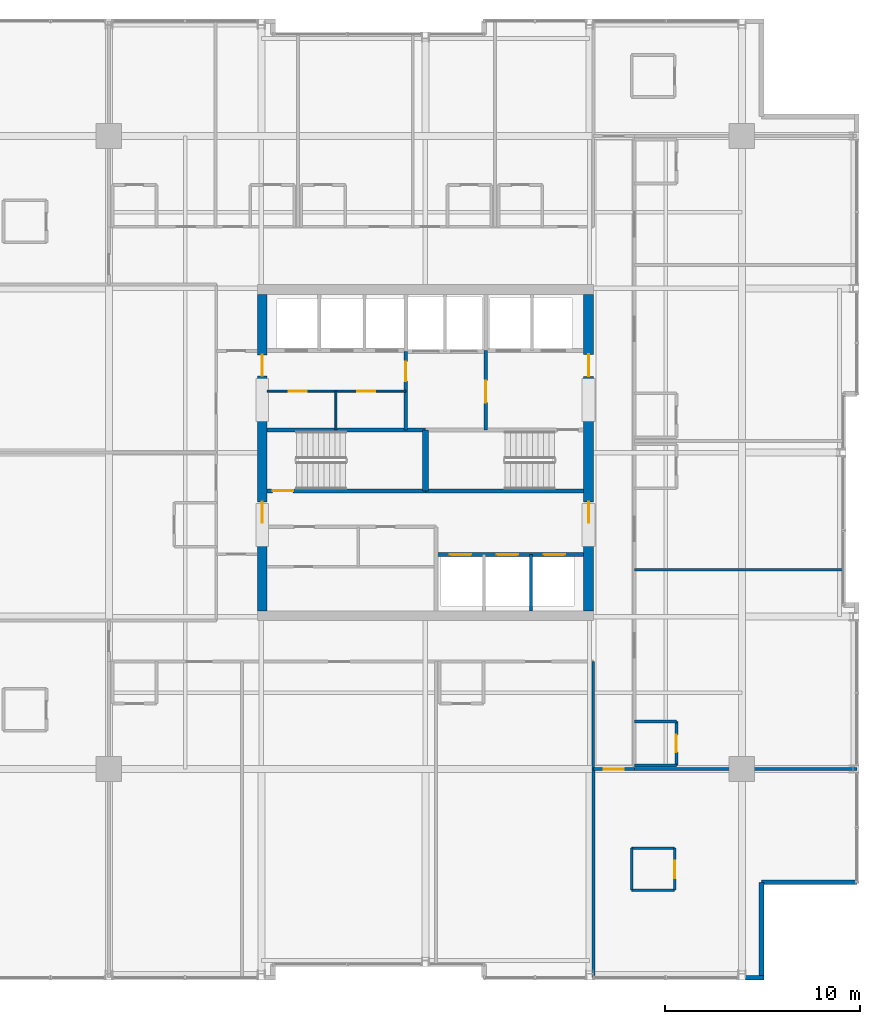
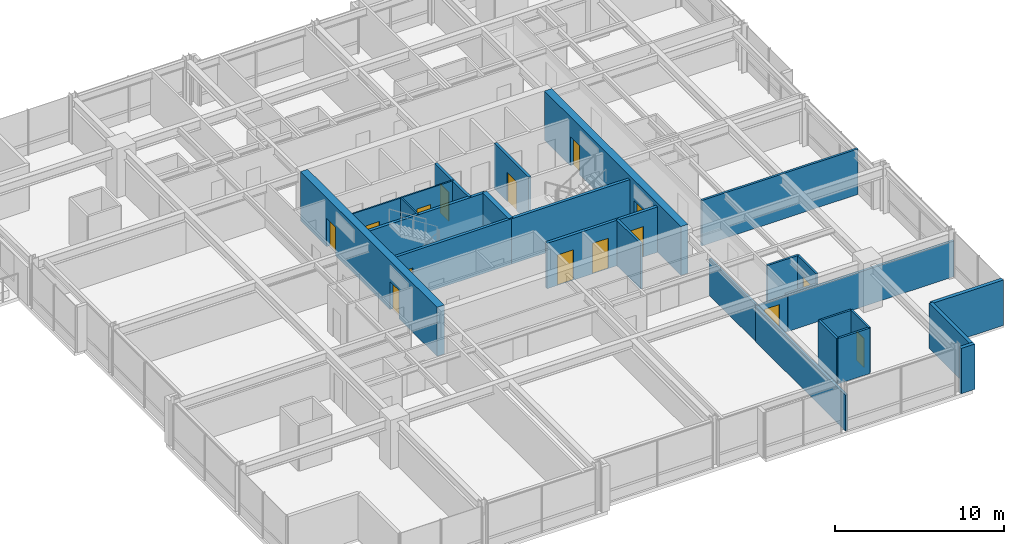
# One storey, part 26 of 31: 27 walls, 15 doors, 15 openings.
"""IFC4 building model written with IfcOpenShell, lengths in metres."""

from ifc_helpers import new_model, si_unit, direction, frame, frame_2d, origin, place, context, subcontext, project, spatial, rectangle, extrude, material, layer, layer_set, type_object, element, fill, save


model = new_model("IFC4")

# Units and contexts
model_context = context("Model", 3, precision=1e-05, world=origin(), true_north=direction((0.0, 1.0)))
body_context = subcontext(model_context, "Body", "Model", "MODEL_VIEW")
ifc_project = project(units=[si_unit("LENGTHUNIT", "METRE"), si_unit("AREAUNIT", "SQUARE_METRE"), si_unit("VOLUMEUNIT", "CUBIC_METRE"), si_unit("PLANEANGLEUNIT", "RADIAN"), si_unit("MASSUNIT", "GRAM", prefix="KILO")], contexts=[model_context])

# Site, building, storey
site_placement = place(None, origin())
site = spatial("IfcSite", under=ifc_project, at=site_placement, CompositionType="ELEMENT")
building_placement = place(site_placement, origin())
building = spatial("IfcBuilding", under=site, at=building_placement, Name="Drelvath Grand Hotel", CompositionType="ELEMENT")
storey_placement = place(building_placement, frame((0.0, 0.0, 185.89990234375)))
storey = spatial("IfcBuildingStorey", under=building, at=storey_placement, Name="L48", CompositionType="ELEMENT", Elevation=185.89990234375)

# Wall, openings, doors
ifc_material_1 = material(Name="Gypsum Partition Board")
ifc_layer_1 = layer(ifc_material_1, 0.10009765625)
ifc_layer_set_1 = layer_set([ifc_layer_1], Name="Gypsum Partition Board")
wall_type_1 = type_object("IfcWallType", Name="Core Closet Partition 100", PredefinedType="PARTITIONING", material=ifc_layer_set_1)
wall_1_placement = place(storey_placement, frame((-8.10009765625, 30.139892578125, 0.0), z_axis=(0.0, 0.0, 1.0), x_axis=(1.0, 0.0, 0.0)))
wall_1 = element("IfcWall", 1, at=wall_1_placement, inside=storey, type_object=wall_type_1, Name="L48 High-Rise Lobby Closet Wall", PredefinedType="PARTITIONING", context=body_context, shape_type="SweptSolid", body=[
    extrude(rectangle(XDim=7.10009765625, YDim=0.10009765625, at=frame_2d((3.550048828125, 0.0))), origin(), (0.0, 0.0, 1.0), 3.2900390625),
])
opening_1_placement = place(wall_1_placement, frame((1.10009765625, 0.0, 0.0)))
opening_1 = element("IfcOpeningElement", 2, at=opening_1_placement, cuts=wall_1, Name="Opening D-T3G4-014", PredefinedType="OPENING", context=body_context, shape_type="SweptSolid", body=[
    extrude(rectangle(XDim=0.919921875, YDim=2.10009765625, at=frame_2d((0.4599609375, 1.050048828125))), frame((0.0, 0.06005859375, 0.0), z_axis=(0.0, -1.0, 0.0), x_axis=(1.0, 0.0, 0.0)), (0.0, 0.0, 1.0), 0.1201171875),
])
opening_2_placement = place(wall_1_placement, frame((4.60009765625, 0.0, 0.0)))
opening_2 = element("IfcOpeningElement", 3, at=opening_2_placement, cuts=wall_1, Name="Opening D-T3G4-015", PredefinedType="OPENING", context=body_context, shape_type="SweptSolid", body=[
    extrude(rectangle(XDim=0.919921875, YDim=2.10009765625, at=frame_2d((0.4599609375, 1.050048828125))), frame((0.0, 0.06005859375, 0.0), z_axis=(0.0, -1.0, 0.0), x_axis=(1.0, 0.0, 0.0)), (0.0, 0.0, 1.0), 0.1201171875),
])
ifc_material_2 = material(Name="Painted Steel S275", Category="steel")
door_type_1 = type_object("IfcDoorType", Name="Staff Utility Door 920x2100", OperationType="NOTDEFINED", PredefinedType="DOOR", material=ifc_material_2)
door_1_placement = place(opening_1_placement, origin())
door_1 = element("IfcDoor", 4, at=door_1_placement, inside=storey, type_object=door_type_1, Name="L48 Electrical Closet Door", OperationType="SINGLE_SWING_LEFT", OverallHeight=2.10009765625, OverallWidth=0.919921875, PredefinedType="DOOR", context=body_context, shape_type="SweptSolid", body=[
    extrude(rectangle(XDim=0.919921875, YDim=2.10009765625, at=frame_2d((0.4599609375, 1.050048828125))), frame((0.0, 0.02490234375, 0.0), z_axis=(0.0, -1.0, 0.0), x_axis=(1.0, 0.0, 0.0)), (0.0, 0.0, 1.0), 0.050048828125),
])
fill(opening_1, door_1)
door_2_placement = place(opening_2_placement, origin())
door_2 = element("IfcDoor", 5, at=door_2_placement, inside=storey, type_object=door_type_1, Name="L48 Telecom Room Door", OperationType="SINGLE_SWING_RIGHT", OverallHeight=2.10009765625, OverallWidth=0.919921875, PredefinedType="DOOR", context=body_context, shape_type="SweptSolid", body=[
    extrude(rectangle(XDim=0.919921875, YDim=2.10009765625, at=frame_2d((0.4599609375, 1.050048828125))), frame((0.0, 0.02490234375, 0.0), z_axis=(0.0, -1.0, 0.0), x_axis=(1.0, 0.0, 0.0)), (0.0, 0.0, 1.0), 0.050048828125),
])
fill(opening_2, door_2)

# Wall
wall_2_placement = place(storey_placement, frame((-4.580078125, 28.159912109375, 0.0), z_axis=(0.0, 0.0, 1.0), x_axis=(0.0, 1.0, 0.0)))
element("IfcWall", 6, at=wall_2_placement, inside=storey, type_object=wall_type_1, Name="L48 Core Closet Split 1", PredefinedType="PARTITIONING", context=body_context, shape_type="SweptSolid", body=[
    extrude(rectangle(XDim=1.97998046875, YDim=0.10009765625, at=frame_2d((0.989990234375, 0.0))), origin(), (0.0, 0.0, 1.0), 3.2900390625),
])

# Wall, openings, doors
ifc_material_3 = material(Name="Concrete C40/50", Category="concrete")
ifc_layer_2 = layer(ifc_material_3, 0.199951171875)
ifc_layer_set_2 = layer_set([ifc_layer_2], Name="Concrete C40/50")
wall_type_2 = type_object("IfcWallType", Name="Core Hoistway Fire Wall 200", PredefinedType="SOLIDWALL", material=ifc_layer_set_2)
wall_3_placement = place(storey_placement, frame((8.10009765625, 21.780029296875, 0.0), z_axis=(0.0, 0.0, 1.0), x_axis=(-1.0, 0.0, 0.0)))
wall_3 = element("IfcWall", 7, at=wall_3_placement, inside=storey, type_object=wall_type_2, Name="L48 Bank 2 Hoistway Wall", PredefinedType="SOLIDWALL", context=body_context, shape_type="SweptSolid", body=[
    extrude(rectangle(XDim=7.550048828125, YDim=0.199951171875, at=frame_2d((3.77490234375, 0.0))), origin(), (0.0, 0.0, 1.0), 3.2900390625),
])
opening_3_placement = place(wall_3_placement, frame((5.75, 0.0, 0.0)))
opening_3 = element("IfcOpeningElement", 8, at=opening_3_placement, cuts=wall_3, Name="Opening LD-PE-4", PredefinedType="OPENING", context=body_context, shape_type="SweptSolid", body=[
    extrude(rectangle(XDim=1.10009765625, YDim=2.199951171875, at=frame_2d((0.550048828125, 1.10009765625))), frame((0.0, 0.10986328125, 0.0), z_axis=(0.0, -1.0, 0.0), x_axis=(1.0, 0.0, 0.0)), (0.0, 0.0, 1.0), 0.219970703125),
])
opening_4_placement = place(wall_3_placement, frame((3.35009765625, 0.0, 0.0)))
opening_4 = element("IfcOpeningElement", 9, at=opening_4_placement, cuts=wall_3, Name="Opening LD-PE-5", PredefinedType="OPENING", context=body_context, shape_type="SweptSolid", body=[
    extrude(rectangle(XDim=1.10009765625, YDim=2.199951171875, at=frame_2d((0.550048828125, 1.10009765625))), frame((0.0, 0.10986328125, 0.0), z_axis=(0.0, -1.0, 0.0), x_axis=(1.0, 0.0, 0.0)), (0.0, 0.0, 1.0), 0.219970703125),
])
opening_5_placement = place(wall_3_placement, frame((0.949951171875, 0.0, 0.0)))
opening_5 = element("IfcOpeningElement", 10, at=opening_5_placement, cuts=wall_3, Name="Opening LD-PE-6", PredefinedType="OPENING", context=body_context, shape_type="SweptSolid", body=[
    extrude(rectangle(XDim=1.10009765625, YDim=2.199951171875, at=frame_2d((0.550048828125, 1.10009765625))), frame((0.0, 0.10986328125, 0.0), z_axis=(0.0, -1.0, 0.0), x_axis=(1.0, 0.0, 0.0)), (0.0, 0.0, 1.0), 0.219970703125),
])
ifc_material_4 = material(Name="Stainless Steel S355", Category="steel")
door_type_2 = type_object("IfcDoorType", Name="Passenger Lift Sliding Landing Door 1100x2200", OperationType="NOTDEFINED", PredefinedType="DOOR", material=ifc_material_4)
door_3_placement = place(opening_3_placement, origin())
door_3 = element("IfcDoor", 11, at=door_3_placement, inside=storey, type_object=door_type_2, Name="L48 Lift PE-4 Landing Door", OperationType="SLIDING_TO_LEFT", OverallHeight=2.199951171875, OverallWidth=1.10009765625, PredefinedType="DOOR", context=body_context, shape_type="SweptSolid", body=[
    extrude(rectangle(XDim=1.10009765625, YDim=2.199951171875, at=frame_2d((0.550048828125, 1.10009765625))), frame((0.0, 0.02490234375, 0.0), z_axis=(0.0, -1.0, 0.0), x_axis=(1.0, 0.0, 0.0)), (0.0, 0.0, 1.0), 0.050048828125),
])
fill(opening_3, door_3)
door_4_placement = place(opening_4_placement, origin())
door_4 = element("IfcDoor", 12, at=door_4_placement, inside=storey, type_object=door_type_2, Name="L48 Lift PE-5 Landing Door", OperationType="SLIDING_TO_LEFT", OverallHeight=2.199951171875, OverallWidth=1.10009765625, PredefinedType="DOOR", context=body_context, shape_type="SweptSolid", body=[
    extrude(rectangle(XDim=1.10009765625, YDim=2.199951171875, at=frame_2d((0.550048828125, 1.10009765625))), frame((0.0, 0.02490234375, 0.0), z_axis=(0.0, -1.0, 0.0), x_axis=(1.0, 0.0, 0.0)), (0.0, 0.0, 1.0), 0.050048828125),
])
fill(opening_4, door_4)
door_5_placement = place(opening_5_placement, origin())
door_5 = element("IfcDoor", 13, at=door_5_placement, inside=storey, type_object=door_type_2, Name="L48 Lift PE-6 Landing Door", OperationType="SLIDING_TO_LEFT", OverallHeight=2.199951171875, OverallWidth=1.10009765625, PredefinedType="DOOR", context=body_context, shape_type="SweptSolid", body=[
    extrude(rectangle(XDim=1.10009765625, YDim=2.199951171875, at=frame_2d((0.550048828125, 1.10009765625))), frame((0.0, 0.02490234375, 0.0), z_axis=(0.0, -1.0, 0.0), x_axis=(1.0, 0.0, 0.0)), (0.0, 0.0, 1.0), 0.050048828125),
])
fill(opening_5, door_5)

# Wall, opening, door
ifc_layer_3 = layer(ifc_material_3, 0.199951171875)
ifc_layer_set_3 = layer_set([ifc_layer_3], Name="Concrete C40/50")
wall_type_3 = type_object("IfcWallType", Name="Core Shaft Fire Wall 200", PredefinedType="SOLIDWALL", material=ifc_layer_set_3)
wall_4_placement = place(storey_placement, frame((-8.10009765625, 25.0400390625, 0.0), z_axis=(0.0, 0.0, 1.0), x_axis=(1.0, 0.0, 0.0)))
wall_4 = element("IfcWall", 14, at=wall_4_placement, inside=storey, type_object=wall_type_3, Name="L48 Stair ST-1 South Wall", PredefinedType="SOLIDWALL", context=body_context, shape_type="SweptSolid", body=[
    extrude(rectangle(XDim=8.10009765625, YDim=0.199951171875, at=frame_2d((4.050048828125, 0.0))), origin(), (0.0, 0.0, 1.0), 3.2900390625),
])
opening_6_placement = place(wall_4_placement, frame((0.280029296875, 0.0, 0.0)))
opening_6 = element("IfcOpeningElement", 15, at=opening_6_placement, cuts=wall_4, Name="Opening D-T3G4-001", PredefinedType="OPENING", context=body_context, shape_type="SweptSolid", body=[
    extrude(rectangle(XDim=1.050048828125, YDim=2.10009765625, at=frame_2d((0.52490234375, 1.050048828125))), frame((0.0, 0.10986328125, 0.0), z_axis=(0.0, -1.0, 0.0), x_axis=(1.0, 0.0, 0.0)), (0.0, 0.0, 1.0), 0.219970703125),
])
door_type_3 = type_object("IfcDoorType", Name="Tower Stairwell Fire Door 1050x2100", OperationType="NOTDEFINED", PredefinedType="DOOR", material=ifc_material_2)
door_6_placement = place(opening_6_placement, origin())
door_6 = element("IfcDoor", 16, at=door_6_placement, inside=storey, type_object=door_type_3, Name="L48 Exit Stair ST-1 Door", OperationType="SINGLE_SWING_LEFT", OverallHeight=2.10009765625, OverallWidth=1.050048828125, PredefinedType="DOOR", context=body_context, shape_type="SweptSolid", body=[
    extrude(rectangle(XDim=1.050048828125, YDim=2.10009765625, at=frame_2d((0.52490234375, 1.050048828125))), frame((0.0, 0.02490234375, 0.0), z_axis=(0.0, -1.0, 0.0), x_axis=(1.0, 0.0, 0.0)), (0.0, 0.0, 1.0), 0.050048828125),
])
fill(opening_6, door_6)

# Walls
for number, where, z_axis, x_axis, name in (
    (17, (-8.10009765625, 28.159912109375, 0.0), (0.0, 0.0, 1.0), (1.0, 0.0, 0.0), "L48 Stair ST-1 North Wall"),
    (18, (0.0, 25.0400390625, 0.0), (0.0, 0.0, 1.0), (1.0, 0.0, 0.0), "L48 Stair ST-2 South Wall"),
):
    element("IfcWall", number, at=place(storey_placement, frame(where, z_axis=z_axis, x_axis=x_axis)), inside=storey, type_object=wall_type_3, Name=name, PredefinedType="SOLIDWALL", context=body_context, shape_type="SweptSolid", body=[
        extrude(rectangle(XDim=8.10009765625, YDim=0.199951171875, at=frame_2d((4.050048828125, 0.0))), origin(), (0.0, 0.0, 1.0), 3.2900390625),
    ])
ifc_layer_4 = layer(ifc_material_3, 0.300048828125)
ifc_layer_set_4 = layer_set([ifc_layer_4], Name="Concrete C40/50")
wall_type_4 = type_object("IfcWallType", Name="Core Shaft Fire Wall 300", PredefinedType="SOLIDWALL", material=ifc_layer_set_4)
wall_5_placement = place(storey_placement, frame((0.0, 25.0400390625, 0.0), z_axis=(0.0, 0.0, 1.0), x_axis=(0.0, 1.0, 0.0)))
element("IfcWall", 19, at=wall_5_placement, inside=storey, type_object=wall_type_4, Name="L48 Core Stair Divider Wall", PredefinedType="SOLIDWALL", context=body_context, shape_type="SweptSolid", body=[
    extrude(rectangle(XDim=3.119873046875, YDim=0.300048828125, at=frame_2d((1.56005859375, 0.0))), origin(), (0.0, 0.0, 1.0), 3.2900390625),
])
ifc_material_5 = material(Name="Gypsum Fireboard Partition")
ifc_layer_5 = layer(ifc_material_5, 0.1650390625)
ifc_layer_set_5 = layer_set([ifc_layer_5], Name="Gypsum Fireboard Partition")
wall_type_5 = type_object("IfcWallType", Name="Core Shaft Partition 165", PredefinedType="PARTITIONING", material=ifc_layer_set_5)
wall_6_placement = place(storey_placement, frame((5.39990234375, 18.89990234375, 0.0), z_axis=(0.0, 0.0, 1.0), x_axis=(0.0, 1.0, 0.0)))
element("IfcWall", 20, at=wall_6_placement, inside=storey, type_object=wall_type_5, Name="L48 Lift PE-5/6 Divider", PredefinedType="PARTITIONING", context=body_context, shape_type="SweptSolid", body=[
    extrude(rectangle(XDim=2.880126953125, YDim=0.1650390625, at=frame_2d((1.43994140625, 0.0))), origin(), (0.0, 0.0, 1.0), 3.2900390625),
])
ifc_layer_6 = layer(ifc_material_5, 0.135009765625)
ifc_layer_set_6 = layer_set([ifc_layer_6], Name="Gypsum Fireboard Partition")
wall_type_6 = type_object("IfcWallType", Name="Corridor Fire Barrier Wall 135", PredefinedType="PARTITIONING", material=ifc_layer_set_6)
wall_7_placement = place(storey_placement, frame((8.60009765625, 10.800048828125, 0.0), z_axis=(0.0, 0.0, 1.0), x_axis=(0.0, 1.0, 0.0)))
element("IfcWall", 21, at=wall_7_placement, inside=storey, type_object=wall_type_6, Name="L48 East Spine South Inner Wall", PredefinedType="PARTITIONING", context=body_context, shape_type="SweptSolid", body=[
    extrude(rectangle(XDim=5.5, YDim=0.135009765625, at=frame_2d((2.75, 0.0))), origin(), (0.0, 0.0, 1.0), 2.66748046875),
])

# Wall, opening, door
wall_8_placement = place(storey_placement, frame((8.60009765625, 10.800048828125, 0.0), z_axis=(0.0, 0.0, 1.0), x_axis=(1.0, 0.0, 0.0)))
wall_8 = element("IfcWall", 22, at=wall_8_placement, inside=storey, type_object=wall_type_6, Name="L48 East Spine South End", PredefinedType="PARTITIONING", context=body_context, shape_type="SweptSolid", body=[
    extrude(rectangle(XDim=2.099853515625, YDim=0.135009765625, at=frame_2d((1.0498046875, 0.0))), origin(), (0.0, 0.0, 1.0), 2.57958984375),
])
opening_7_placement = place(wall_8_placement, frame((0.52001953125, 0.0, 0.0)))
opening_7 = element("IfcOpeningElement", 23, at=opening_7_placement, cuts=wall_8, Name="Opening D-T3G4-031", PredefinedType="OPENING", context=body_context, shape_type="SweptSolid", body=[
    extrude(rectangle(XDim=1.02001953125, YDim=2.14990234375, at=frame_2d((0.510009765625, 1.074951171875))), frame((0.0, 0.077392578125, 0.0), z_axis=(0.0, -1.0, 0.0), x_axis=(1.0, 0.0, 0.0)), (0.0, 0.0, 1.0), 0.155029296875),
])
ifc_material_6 = material(Name="Hardwood Walnut Timber", Category="wood")
door_type_4 = type_object("IfcDoorType", Name="Amenity Meeting Fire Door 1020x2150", OperationType="NOTDEFINED", PredefinedType="DOOR", material=ifc_material_6)
door_7_placement = place(opening_7_placement, origin())
door_7 = element("IfcDoor", 24, at=door_7_placement, inside=storey, type_object=door_type_4, Name="L48 Executive Suite Entry Door", OperationType="SINGLE_SWING_LEFT", OverallHeight=2.14990234375, OverallWidth=1.02001953125, PredefinedType="DOOR", context=body_context, shape_type="SweptSolid", body=[
    extrude(rectangle(XDim=1.02001953125, YDim=2.14990234375, at=frame_2d((0.510009765625, 1.074951171875))), frame((0.0, 0.02490234375, 0.0), z_axis=(0.0, -1.0, 0.0), x_axis=(1.0, 0.0, 0.0)), (0.0, 0.0, 1.0), 0.050048828125),
])
fill(opening_7, door_7)

# Walls
ifc_material_7 = material(Name="Moisture-Resistant Gypsum Board")
ifc_layer_7 = layer(ifc_material_7, 0.139892578125)
ifc_layer_set_7 = layer_set([ifc_layer_7], Name="Moisture-Resistant Gypsum Board")
wall_type_7 = type_object("IfcWallType", Name="En-Suite Plumbing Wall 140", PredefinedType="PLUMBINGWALL", material=ifc_layer_set_7)
for number, where, z_axis, x_axis, name in (
    (25, (10.56005859375, 4.60009765625, 0.0), (0.0, 0.0, 1.0), (1.0, 0.0, 0.0), "L48 Corner En-Suite South"),
    (26, (10.56005859375, 6.75, 0.0), (0.0, 0.0, 1.0), (1.0, 0.0, 0.0), "L48 Corner En-Suite North"),
):
    element("IfcWall", number, at=place(storey_placement, frame(where, z_axis=z_axis, x_axis=x_axis)), inside=storey, type_object=wall_type_7, Name=name, PredefinedType="PLUMBINGWALL", context=body_context, shape_type="SweptSolid", body=[
        extrude(rectangle(XDim=2.199951171875, YDim=0.139892578125, at=frame_2d((1.10009765625, 0.0))), origin(), (0.0, 0.0, 1.0), 3.2900390625),
    ])
wall_9_placement = place(storey_placement, frame((10.56005859375, 4.60009765625, 0.0), z_axis=(0.0, 0.0, 1.0), x_axis=(0.0, 1.0, 0.0)))
element("IfcWall", 27, at=wall_9_placement, inside=storey, type_object=wall_type_7, Name="L48 Corner En-Suite West", PredefinedType="PLUMBINGWALL", context=body_context, shape_type="SweptSolid", body=[
    extrude(rectangle(XDim=2.14990234375, YDim=0.139892578125, at=frame_2d((1.074951171875, 0.0))), origin(), (0.0, 0.0, 1.0), 3.2900390625),
])

# Wall, opening, door
wall_10_placement = place(storey_placement, frame((12.760009765625, 4.60009765625, 0.0), z_axis=(0.0, 0.0, 1.0), x_axis=(0.0, 1.0, 0.0)))
wall_10 = element("IfcWall", 28, at=wall_10_placement, inside=storey, type_object=wall_type_7, Name="L48 Corner En-Suite East", PredefinedType="PLUMBINGWALL", context=body_context, shape_type="SweptSolid", body=[
    extrude(rectangle(XDim=2.14990234375, YDim=0.139892578125, at=frame_2d((1.074951171875, 0.0))), origin(), (0.0, 0.0, 1.0), 3.2900390625),
])
opening_8_placement = place(wall_10_placement, frame((0.6201171875, 0.0, 0.0)))
opening_8 = element("IfcOpeningElement", 29, at=opening_8_placement, cuts=wall_10, Name="Opening D-T3G4-030", PredefinedType="OPENING", context=body_context, shape_type="SweptSolid", body=[
    extrude(rectangle(XDim=0.8798828125, YDim=2.10009765625, at=frame_2d((0.43994140625, 1.050048828125))), frame((0.0, 0.079833984375, 0.0), z_axis=(0.0, -1.0, 0.0), x_axis=(1.0, 0.0, 0.0)), (0.0, 0.0, 1.0), 0.159912109375),
])
door_type_5 = type_object("IfcDoorType", Name="En-Suite Bathroom Door 880x2100", OperationType="NOTDEFINED", PredefinedType="DOOR", material=ifc_material_6)
door_8_placement = place(opening_8_placement, origin())
door_8 = element("IfcDoor", 30, at=door_8_placement, inside=storey, type_object=door_type_5, Name="L48 Corner En-Suite Door", OperationType="SINGLE_SWING_RIGHT", OverallHeight=2.10009765625, OverallWidth=0.8798828125, PredefinedType="DOOR", context=body_context, shape_type="SweptSolid", body=[
    extrude(rectangle(XDim=0.8798828125, YDim=2.10009765625, at=frame_2d((0.43994140625, 1.050048828125))), frame((0.0, 0.02490234375, 0.0), z_axis=(0.0, -1.0, 0.0), x_axis=(1.0, 0.0, 0.0)), (0.0, 0.0, 1.0), 0.050048828125),
])
fill(opening_8, door_8)

# Walls
wall_11_placement = place(storey_placement, frame((10.699951171875, 10.97998046875, 0.0), z_axis=(0.0, 0.0, 1.0), x_axis=(1.0, 0.0, 0.0)))
element("IfcWall", 31, at=wall_11_placement, inside=storey, type_object=wall_type_7, Name="L48 En-Suite Left Wall", PredefinedType="PLUMBINGWALL", context=body_context, shape_type="SweptSolid", body=[
    extrude(rectangle(XDim=2.150146484375, YDim=0.139892578125, at=frame_2d((1.0751953125, 0.0))), origin(), (0.0, 0.0, 1.0), 2.57958984375),
])
wall_12_placement = place(storey_placement, frame((10.699951171875, 13.22998046875, 0.0), z_axis=(0.0, 0.0, 1.0), x_axis=(1.0, 0.0, 0.0)))
element("IfcWall", 32, at=wall_12_placement, inside=storey, type_object=wall_type_7, Name="L48 En-Suite Right Wall", PredefinedType="PLUMBINGWALL", context=body_context, shape_type="SweptSolid", body=[
    extrude(rectangle(XDim=2.150146484375, YDim=0.139892578125, at=frame_2d((1.0751953125, 0.0))), origin(), (0.0, 0.0, 1.0), 3.2900390625),
])

# Wall, opening, door
wall_13_placement = place(storey_placement, frame((12.85009765625, 10.97998046875, 0.0), z_axis=(0.0, 0.0, 1.0), x_axis=(0.0, 1.0, 0.0)))
wall_13 = element("IfcWall", 33, at=wall_13_placement, inside=storey, type_object=wall_type_7, Name="L48 En-Suite Front Wall", PredefinedType="PLUMBINGWALL", context=body_context, shape_type="SweptSolid", body=[
    extrude(rectangle(XDim=2.25, YDim=0.139892578125, at=frame_2d((1.125, 0.0))), origin(), (0.0, 0.0, 1.0), 3.2900390625),
])
opening_9_placement = place(wall_13_placement, frame((0.68505859375, 0.0, 0.0)))
opening_9 = element("IfcOpeningElement", 34, at=opening_9_placement, cuts=wall_13, Name="Opening D-T3G4-049", PredefinedType="OPENING", context=body_context, shape_type="SweptSolid", body=[
    extrude(rectangle(XDim=0.8798828125, YDim=2.10009765625, at=frame_2d((0.43994140625, 1.050048828125))), frame((0.0, 0.079833984375, 0.0), z_axis=(0.0, -1.0, 0.0), x_axis=(1.0, 0.0, 0.0)), (0.0, 0.0, 1.0), 0.159912109375),
])
door_9_placement = place(opening_9_placement, origin())
door_9 = element("IfcDoor", 35, at=door_9_placement, inside=storey, type_object=door_type_5, Name="L48 En-Suite Bathroom Door", OperationType="SINGLE_SWING_LEFT", OverallHeight=2.10009765625, OverallWidth=0.8798828125, PredefinedType="DOOR", context=body_context, shape_type="SweptSolid", body=[
    extrude(rectangle(XDim=0.8798828125, YDim=2.10009765625, at=frame_2d((0.43994140625, 1.050048828125))), frame((0.0, 0.02490234375, 0.0), z_axis=(0.0, -1.0, 0.0), x_axis=(1.0, 0.0, 0.0)), (0.0, 0.0, 1.0), 0.050048828125),
])
fill(opening_9, door_9)

ifc_layer_8 = layer(ifc_material_5, 0.179931640625)
ifc_layer_set_8 = layer_set([ifc_layer_8], Name="Gypsum Fireboard Partition")
wall_type_8 = type_object("IfcWallType", Name="FSAE Smoke Lobby Fire Wall 180", PredefinedType="SOLIDWALL", material=ifc_layer_set_8)
wall_14_placement = place(storey_placement, frame((3.10009765625, 28.159912109375, 0.0), z_axis=(0.0, 0.0, 1.0), x_axis=(0.0, 1.0, 0.0)))
wall_14 = element("IfcWall", 36, at=wall_14_placement, inside=storey, type_object=wall_type_8, Name="L48 FSAE Smoke Lobby West Wall", PredefinedType="SOLIDWALL", context=body_context, shape_type="SweptSolid", body=[
    extrude(rectangle(XDim=4.06005859375, YDim=0.179931640625, at=frame_2d((2.030029296875, 0.0))), origin(), (0.0, 0.0, 1.0), 3.2900390625),
])
opening_10_placement = place(wall_14_placement, frame((1.39990234375, 0.0, 0.0)))
opening_10 = element("IfcOpeningElement", 37, at=opening_10_placement, cuts=wall_14, Name="Opening D-T3G4-005", PredefinedType="OPENING", context=body_context, shape_type="SweptSolid", body=[
    extrude(rectangle(XDim=1.1201171875, YDim=2.10009765625, at=frame_2d((0.56005859375, 1.050048828125))), frame((0.0, 0.099853515625, 0.0), z_axis=(0.0, -1.0, 0.0), x_axis=(1.0, 0.0, 0.0)), (0.0, 0.0, 1.0), 0.199951171875),
])
door_type_6 = type_object("IfcDoorType", Name="FSAE Smoke Lobby Fire Door 1120x2100", OperationType="NOTDEFINED", PredefinedType="DOOR", material=ifc_material_2)
door_10_placement = place(opening_10_placement, origin())
door_10 = element("IfcDoor", 38, at=door_10_placement, inside=storey, type_object=door_type_6, Name="L48 FSAE Lobby Service Vestibule Door", OperationType="SINGLE_SWING_RIGHT", OverallHeight=2.10009765625, OverallWidth=1.1201171875, PredefinedType="DOOR", context=body_context, shape_type="SweptSolid", body=[
    extrude(rectangle(XDim=1.1201171875, YDim=2.10009765625, at=frame_2d((0.56005859375, 1.050048828125))), frame((0.0, 0.02490234375, 0.0), z_axis=(0.0, -1.0, 0.0), x_axis=(1.0, 0.0, 0.0)), (0.0, 0.0, 1.0), 0.050048828125),
])
fill(opening_10, door_10)

wall_15_placement = place(storey_placement, frame((-1.0, 28.159912109375, 0.0), z_axis=(0.0, 0.0, 1.0), x_axis=(0.0, 1.0, 0.0)))
wall_15 = element("IfcWall", 39, at=wall_15_placement, inside=storey, type_object=wall_type_8, Name="L48 Service Vestibule West Wall", PredefinedType="SOLIDWALL", context=body_context, shape_type="SweptSolid", body=[
    extrude(rectangle(XDim=4.02001953125, YDim=0.179931640625, at=frame_2d((2.010009765625, 0.0))), origin(), (0.0, 0.0, 1.0), 3.2900390625),
])
opening_11_placement = place(wall_15_placement, frame((2.489990234375, 0.0, 0.0)))
opening_11 = element("IfcOpeningElement", 40, at=opening_11_placement, cuts=wall_15, Name="Opening D-T3G4-009", PredefinedType="OPENING", context=body_context, shape_type="SweptSolid", body=[
    extrude(rectangle(XDim=1.0, YDim=2.10009765625, at=frame_2d((0.5, 1.050048828125))), frame((0.0, 0.099853515625, 0.0), z_axis=(0.0, -1.0, 0.0), x_axis=(1.0, 0.0, 0.0)), (0.0, 0.0, 1.0), 0.199951171875),
])
door_type_7 = type_object("IfcDoorType", Name="Core Service Fire Door 1000x2100", OperationType="NOTDEFINED", PredefinedType="DOOR", material=ifc_material_2)
door_11_placement = place(opening_11_placement, origin())
door_11 = element("IfcDoor", 41, at=door_11_placement, inside=storey, type_object=door_type_7, Name="L48 Service Vestibule West Door", OperationType="SINGLE_SWING_LEFT", OverallHeight=2.10009765625, OverallWidth=1.0, PredefinedType="DOOR", context=body_context, shape_type="SweptSolid", body=[
    extrude(rectangle(XDim=1.0, YDim=2.10009765625, at=frame_2d((0.5, 1.050048828125))), frame((0.0, 0.02490234375, 0.0), z_axis=(0.0, -1.0, 0.0), x_axis=(1.0, 0.0, 0.0)), (0.0, 0.0, 1.0), 0.050048828125),
])
fill(opening_11, door_11)

# Walls
ifc_material_8 = material(Name="Gypsum Acoustic Partition")
ifc_layer_9 = layer(ifc_material_8, 0.14990234375)
ifc_layer_set_9 = layer_set([ifc_layer_9], Name="Gypsum Acoustic Partition")
wall_type_9 = type_object("IfcWallType", Name="Guestroom Demising Wall 150", PredefinedType="PARTITIONING", material=ifc_layer_set_9)
wall_16_placement = place(storey_placement, frame((10.699951171875, 21.0, 0.0), z_axis=(0.0, 0.0, 1.0), x_axis=(1.0, 0.0, 0.0)))
element("IfcWall", 42, at=wall_16_placement, inside=storey, type_object=wall_type_9, Name="L48 East Demising 1", PredefinedType="PARTITIONING", context=body_context, shape_type="SweptSolid", body=[
    extrude(rectangle(XDim=10.699951171875, YDim=0.14990234375, at=frame_2d((5.35009765625, 0.0))), origin(), (0.0, 0.0, 1.0), 3.2900390625),
])
ifc_layer_10 = layer(ifc_material_8, 0.1650390625)
ifc_layer_set_10 = layer_set([ifc_layer_10], Name="Gypsum Acoustic Partition")
wall_type_10 = type_object("IfcWallType", Name="Suite Demising Wall 165", PredefinedType="PARTITIONING", material=ifc_layer_set_10)
wall_17_placement = place(storey_placement, frame((8.60009765625, 0.1201171875, 0.0), z_axis=(0.0, 0.0, 1.0), x_axis=(0.0, 1.0, 0.0)))
element("IfcWall", 43, at=wall_17_placement, inside=storey, type_object=wall_type_10, Name="L48 SE Suite West Wall", PredefinedType="PARTITIONING", context=body_context, shape_type="SweptSolid", body=[
    extrude(rectangle(XDim=10.679931640625, YDim=0.1650390625, at=frame_2d((5.33984375, 0.0))), origin(), (0.0, 0.0, 1.0), 2.57958984375),
])
wall_18_placement = place(storey_placement, frame((10.699951171875, 10.800048828125, 0.0), z_axis=(0.0, 0.0, 1.0), x_axis=(1.0, 0.0, 0.0)))
element("IfcWall", 44, at=wall_18_placement, inside=storey, type_object=wall_type_10, Name="L48 SE Suite North Wall", PredefinedType="PARTITIONING", context=body_context, shape_type="SweptSolid", body=[
    extrude(rectangle(XDim=11.380126953125, YDim=0.1650390625, at=frame_2d((5.68994140625, 0.0))), origin(), (0.0, 0.0, 1.0), 2.57958984375),
])
ifc_material_9 = material(Name="Pale-Metal Insulated Aluminium Spandrel Assembly", Category="aluminium")
ifc_layer_11 = layer(ifc_material_9, 0.239990234375)
ifc_layer_set_11 = layer_set([ifc_layer_11], Name="Pale-Metal Insulated Aluminium Spandrel Assembly")
wall_type_11 = type_object("IfcWallType", Name="Tower Insulated Metal Spandrel Closure Wall 240", PredefinedType="STANDARD", material=ifc_layer_set_11)
wall_19_placement = place(storey_placement, frame((17.320068359375, 0.1201171875, 0.0), z_axis=(0.0, 0.0, 1.0), x_axis=(-1.0, 0.0, 0.0)))
element("IfcWall", 45, at=wall_19_placement, inside=storey, type_object=wall_type_11, Name="L48 Corner Pier Spandrel Wall SE3", PredefinedType="STANDARD", context=body_context, shape_type="SweptSolid", body=[
    extrude(rectangle(XDim=0.928466796875, YDim=0.239990234375, at=frame_2d((0.46435546875, 0.0))), origin(), (0.0, 0.0, 1.0), 3.2900390625),
])
wall_20_placement = place(storey_placement, frame((22.080078125, 5.0, 0.0), z_axis=(0.0, 0.0, 1.0), x_axis=(-1.0, 0.0, 0.0)))
element("IfcWall", 46, at=wall_20_placement, inside=storey, type_object=wall_type_11, Name="L48 Notched Corner Return Spandrel Wall CSE1", PredefinedType="STANDARD", context=body_context, shape_type="SweptSolid", body=[
    extrude(rectangle(XDim=4.880126953125, YDim=0.239990234375, at=frame_2d((2.43994140625, 0.0))), origin(), (0.0, 0.0, 1.0), 3.2900390625),
])
wall_21_placement = place(storey_placement, frame((17.199951171875, 5.0, 0.0), z_axis=(0.0, 0.0, 1.0), x_axis=(0.0, -1.0, 0.0)))
element("IfcWall", 47, at=wall_21_placement, inside=storey, type_object=wall_type_11, Name="L48 Notched Corner Return Spandrel Wall CSE2", PredefinedType="STANDARD", context=body_context, shape_type="SweptSolid", body=[
    extrude(rectangle(XDim=4.760009765625, YDim=0.239990234375, at=frame_2d((2.3798828125, 0.0))), origin(), (0.0, 0.0, 1.0), 3.2900390625),
])

# Wall, openings, doors
ifc_material_10 = material(Name="Concrete f'c 55 MPa", Category="concrete")
ifc_layer_12 = layer(ifc_material_10, 0.5)
ifc_layer_set_12 = layer_set([ifc_layer_12], Name="Concrete f'c 55 MPa")
wall_type_12 = type_object("IfcWallType", Name="Upper Core RC Shear Wall 500", PredefinedType="SHEAR", material=ifc_layer_set_12)
wall_22_placement = place(storey_placement, frame((8.35009765625, 35.10009765625, 0.0), z_axis=(0.0, 0.0, 1.0), x_axis=(0.0, -1.0, 0.0)))
wall_22 = element("IfcWall", 48, at=wall_22_placement, inside=storey, type_object=wall_type_12, Name="L48 Central Core Shear Wall E", PredefinedType="SHEAR", context=body_context, shape_type="SweptSolid", body=[
    extrude(rectangle(XDim=16.2001953125, YDim=0.5, at=frame_2d((8.10009765625, 0.0))), origin(), (0.0, 0.0, 1.0), 3.550048828125),
])
opening_12_placement = place(wall_22_placement, frame((3.080078125, 0.0, 0.0)))
opening_12 = element("IfcOpeningElement", 49, at=opening_12_placement, cuts=wall_22, Name="Opening D-T3G4-006", PredefinedType="OPENING", context=body_context, shape_type="SweptSolid", body=[
    extrude(rectangle(XDim=1.1201171875, YDim=2.10009765625, at=frame_2d((0.56005859375, 1.050048828125))), frame((0.0, 0.260009765625, 0.0), z_axis=(0.0, -1.0, 0.0), x_axis=(1.0, 0.0, 0.0)), (0.0, 0.0, 1.0), 0.52001953125),
])
opening_13_placement = place(wall_22_placement, frame((10.6201171875, 0.0, 0.0)))
opening_13 = element("IfcOpeningElement", 50, at=opening_13_placement, cuts=wall_22, Name="Opening D-T3G4-020", PredefinedType="OPENING", context=body_context, shape_type="SweptSolid", body=[
    extrude(rectangle(XDim=1.080078125, YDim=2.0400390625, at=frame_2d((0.5400390625, 1.02001953125))), frame((0.0, 0.260009765625, 0.0), z_axis=(0.0, -1.0, 0.0), x_axis=(1.0, 0.0, 0.0)), (0.0, 0.0, 1.0), 0.52001953125),
])
door_type_8 = type_object("IfcDoorType", Name="Core Corridor Fire Door 1080x2100", OperationType="NOTDEFINED", PredefinedType="DOOR", material=ifc_material_2)
door_12_placement = place(opening_13_placement, origin())
door_12 = element("IfcDoor", 51, at=door_12_placement, inside=storey, type_object=door_type_8, Name="L48 Mid-Rise Lobby East Door", OperationType="SINGLE_SWING_RIGHT", OverallHeight=2.0400390625, OverallWidth=1.080078125, PredefinedType="DOOR", context=body_context, shape_type="SweptSolid", body=[
    extrude(rectangle(XDim=1.080078125, YDim=2.0400390625, at=frame_2d((0.5400390625, 1.02001953125))), frame((0.0, 0.02490234375, 0.0), z_axis=(0.0, -1.0, 0.0), x_axis=(1.0, 0.0, 0.0)), (0.0, 0.0, 1.0), 0.050048828125),
])
fill(opening_13, door_12)
door_13_placement = place(opening_12_placement, origin())
door_13 = element("IfcDoor", 52, at=door_13_placement, inside=storey, type_object=door_type_6, Name="L48 FSAE Lobby East Corridor Door", OperationType="SINGLE_SWING_LEFT", OverallHeight=2.10009765625, OverallWidth=1.1201171875, PredefinedType="DOOR", context=body_context, shape_type="SweptSolid", body=[
    extrude(rectangle(XDim=1.1201171875, YDim=2.10009765625, at=frame_2d((0.56005859375, 1.050048828125))), frame((0.0, 0.02490234375, 0.0), z_axis=(0.0, -1.0, 0.0), x_axis=(1.0, 0.0, 0.0)), (0.0, 0.0, 1.0), 0.050048828125),
])
fill(opening_12, door_13)

wall_23_placement = place(storey_placement, frame((-8.35009765625, 18.89990234375, 0.0), z_axis=(0.0, 0.0, 1.0), x_axis=(0.0, 1.0, 0.0)))
wall_23 = element("IfcWall", 53, at=wall_23_placement, inside=storey, type_object=wall_type_12, Name="L48 Central Core Shear Wall W", PredefinedType="SHEAR", context=body_context, shape_type="SweptSolid", body=[
    extrude(rectangle(XDim=16.2001953125, YDim=0.5, at=frame_2d((8.10009765625, 0.0))), origin(), (0.0, 0.0, 1.0), 3.550048828125),
])
opening_14_placement = place(wall_23_placement, frame((12.02001953125, 0.0, 0.0)))
opening_14 = element("IfcOpeningElement", 54, at=opening_14_placement, cuts=wall_23, Name="Opening D-T3G4-013", PredefinedType="OPENING", context=body_context, shape_type="SweptSolid", body=[
    extrude(rectangle(XDim=1.080078125, YDim=2.0400390625, at=frame_2d((0.5400390625, 1.02001953125))), frame((0.0, 0.260009765625, 0.0), z_axis=(0.0, -1.0, 0.0), x_axis=(1.0, 0.0, 0.0)), (0.0, 0.0, 1.0), 0.52001953125),
])
opening_15_placement = place(wall_23_placement, frame((4.5, 0.0, 0.0)))
opening_15 = element("IfcOpeningElement", 55, at=opening_15_placement, cuts=wall_23, Name="Opening D-T3G4-019", PredefinedType="OPENING", context=body_context, shape_type="SweptSolid", body=[
    extrude(rectangle(XDim=1.080078125, YDim=2.0400390625, at=frame_2d((0.5400390625, 1.02001953125))), frame((0.0, 0.260009765625, 0.0), z_axis=(0.0, -1.0, 0.0), x_axis=(1.0, 0.0, 0.0)), (0.0, 0.0, 1.0), 0.52001953125),
])
door_14_placement = place(opening_14_placement, origin())
door_14 = element("IfcDoor", 56, at=door_14_placement, inside=storey, type_object=door_type_8, Name="L48 High-Rise Lift Lobby West Door", OperationType="SINGLE_SWING_RIGHT", OverallHeight=2.0400390625, OverallWidth=1.080078125, PredefinedType="DOOR", context=body_context, shape_type="SweptSolid", body=[
    extrude(rectangle(XDim=1.080078125, YDim=2.0400390625, at=frame_2d((0.5400390625, 1.02001953125))), frame((0.0, 0.02490234375, 0.0), z_axis=(0.0, -1.0, 0.0), x_axis=(1.0, 0.0, 0.0)), (0.0, 0.0, 1.0), 0.050048828125),
])
fill(opening_14, door_14)
door_15_placement = place(opening_15_placement, origin())
door_15 = element("IfcDoor", 57, at=door_15_placement, inside=storey, type_object=door_type_8, Name="L48 Mid-Rise Lobby West Door", OperationType="SINGLE_SWING_LEFT", OverallHeight=2.0400390625, OverallWidth=1.080078125, PredefinedType="DOOR", context=body_context, shape_type="SweptSolid", body=[
    extrude(rectangle(XDim=1.080078125, YDim=2.0400390625, at=frame_2d((0.5400390625, 1.02001953125))), frame((0.0, 0.02490234375, 0.0), z_axis=(0.0, -1.0, 0.0), x_axis=(1.0, 0.0, 0.0)), (0.0, 0.0, 1.0), 0.050048828125),
])
fill(opening_15, door_15)

save(model, "model.ifc")
